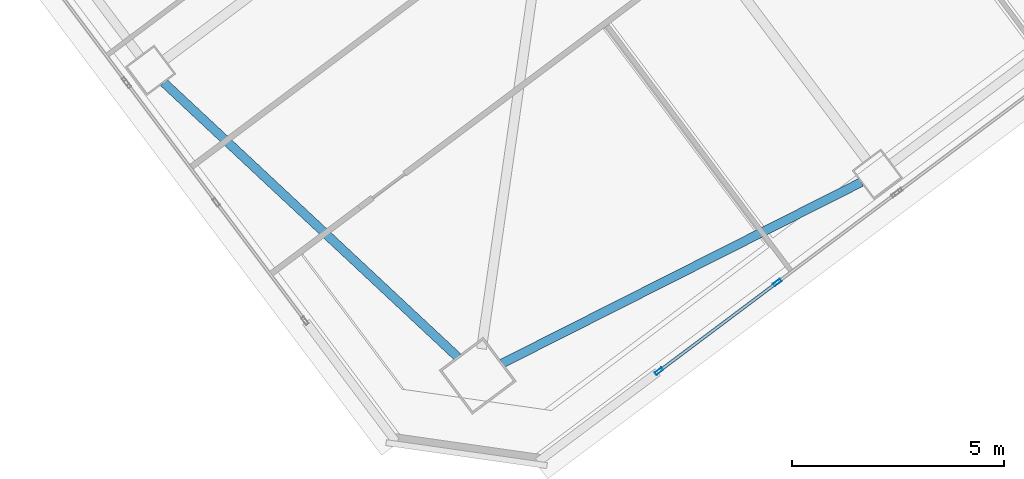
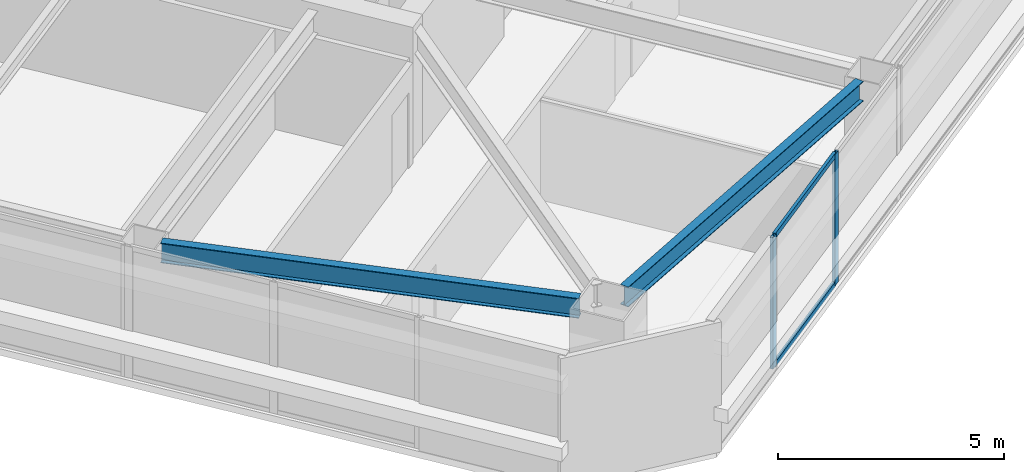
# One storey, part 18 of 44: 4 members, 2 beams, 1 element without a shape of its own.
"""IFC4 building model written with IfcOpenShell, lengths in metres."""

from ifc_helpers import new_model, si_unit, direction, frame, origin, origin_2d, place, context, subcontext, project, spatial, hollow_rectangle, i_section, extrude, material, material_profile, profile_set, type_object, element, aggregate, save


model = new_model("IFC4")

# Units and contexts
model_context = context("Model", 3, precision=1e-05, world=origin(), true_north=direction((0.0, 1.0)))
body_context = subcontext(model_context, "Body", "Model", "MODEL_VIEW")
ifc_project = project(units=[si_unit("LENGTHUNIT", "METRE"), si_unit("AREAUNIT", "SQUARE_METRE"), si_unit("VOLUMEUNIT", "CUBIC_METRE"), si_unit("PLANEANGLEUNIT", "RADIAN"), si_unit("MASSUNIT", "GRAM", prefix="KILO")], contexts=[model_context])

# Site, building, storey
site_placement = place(None, origin())
site = spatial("IfcSite", under=ifc_project, at=site_placement, CompositionType="ELEMENT")
building_placement = place(site_placement, origin())
building = spatial("IfcBuilding", under=site, at=building_placement, Name="Tashvorn Skyway Center", CompositionType="ELEMENT")
storey_placement = place(building_placement, frame((0.0, 0.0, 149.89990234375)))
storey = spatial("IfcBuildingStorey", under=building, at=storey_placement, Name="L40", CompositionType="ELEMENT", Elevation=149.89990234375)

# Beams
ifc_material_1 = material(Name="Steel ASTM A992 Grade 50", Category="steel")
ifc_material_profile_1 = material_profile(ifc_material_1, i_section(OverallWidth=0.2109375, OverallDepth=0.5390625, WebThickness=0.01171875, FlangeThickness=0.018798828125, at=origin_2d()), Name="W21X73")
ifc_profile_set_1 = profile_set([ifc_material_profile_1], Name="Steel ASTM A992 Grade 50")
beam_type = type_object("IfcBeamType", Name="BM-SPANDREL-W21X73", PredefinedType="SPANDREL", material=ifc_profile_set_1)
beam_1_placement = place(storey_placement, frame((111.415771484375, 10.170654296875, 3.1005859375), z_axis=(0.892719124217, 0.450613543136, 0.0), x_axis=(-0.450613543136, 0.892719124217, 0.0)))
element("IfcBeam", 1, at=beam_1_placement, inside=storey, type_object=beam_type, Name="Tower 2 L40 Spandrel Beam 01", PredefinedType="SPANDREL", context=body_context, shape_type="SweptSolid", body=[
    extrude(i_section(OverallWidth=0.2109375, OverallDepth=0.5390625, WebThickness=0.01171875, FlangeThickness=0.018798828125, at=origin_2d()), origin(), (0.0, 0.0, 1.0), 9.498291015625),
])
beam_2_placement = place(storey_placement, frame((103.427001953125, 16.80322265625, 3.1005859375), z_axis=(0.730843250868, -0.682545341102, 0.0), x_axis=(0.682545341102, 0.730843250868, 0.0)))
element("IfcBeam", 2, at=beam_2_placement, inside=storey, type_object=beam_type, Name="Tower 2 L40 Spandrel Beam 12", PredefinedType="SPANDREL", context=body_context, shape_type="SweptSolid", body=[
    extrude(i_section(OverallWidth=0.2109375, OverallDepth=0.5390625, WebThickness=0.01171875, FlangeThickness=0.018798828125, at=origin_2d()), origin(), (0.0, 0.0, 1.0), 9.498046875),
])

# Curtain wall, members
ifc_material_2 = material(Name="Thermally broken bronze-anodized aluminium 6063-T6", Category="aluminium")
curtain_wall_type = type_object("IfcCurtainWallType", Name="CW-CW-Z3", PredefinedType="NOTDEFINED", material=ifc_material_2)
curtain_wall_placement = place(storey_placement, origin())
curtain_wall = element("IfcCurtainWall", 3, at=curtain_wall_placement, inside=storey, type_object=curtain_wall_type, Name="Tower 2 L40 South Unitised Curtain Wall Glazing Group 3", PredefinedType="NOTDEFINED")
ifc_material_profile_2 = material_profile(ifc_material_2, hollow_rectangle(XDim=0.074951171875, YDim=0.199951171875, WallThickness=0.00439453125, at=origin_2d()), Name="ALU-MULL-75x200")
ifc_profile_set_2 = profile_set([ifc_material_profile_2], Name="Thermally broken bronze-anodized aluminium 6063-T6")
member_type_1 = type_object("IfcMemberType", Name="CWM-CW-Z3", PredefinedType="MULLION", material=ifc_profile_set_2)
member_1_placement = place(storey_placement, frame((117.91015625, 12.082763671875, 0.0), z_axis=(0.0, 0.0, 1.0), x_axis=(0.600004533995, -0.799996599484, 0.0)))
member_1 = element("IfcMember", 4, at=member_1_placement, type_object=member_type_1, Name="CW-Z3 mullion 2", PredefinedType="MULLION", context=body_context, shape_type="SweptSolid", body=[
    extrude(hollow_rectangle(XDim=0.074951171875, YDim=0.199951171875, WallThickness=0.00439453125, at=origin_2d()), origin(), (0.0, 0.0, 1.0), 3.550048828125),
])
member_2_placement = place(storey_placement, frame((115.1171875, 9.98779296875, 0.0), z_axis=(0.0, 0.0, 1.0), x_axis=(0.600004533995, -0.799996599484, 0.0)))
member_2 = element("IfcMember", 5, at=member_2_placement, type_object=member_type_1, Name="CW-Z3 mullion 3", PredefinedType="MULLION", context=body_context, shape_type="SweptSolid", body=[
    extrude(hollow_rectangle(XDim=0.074951171875, YDim=0.199951171875, WallThickness=0.00439453125, at=origin_2d()), origin(), (0.0, 0.0, 1.0), 3.550048828125),
])
ifc_material_profile_3 = material_profile(ifc_material_2, hollow_rectangle(XDim=0.074951171875, YDim=0.139892578125, WallThickness=0.004150390625, at=origin_2d()), Name="ALU-TRAN-75x140")
ifc_profile_set_3 = profile_set([ifc_material_profile_3], Name="Thermally broken bronze-anodized aluminium 6063-T6")
member_type_2 = type_object("IfcMemberType", Name="CWT-CW-Z3", PredefinedType="USERDEFINED", material=ifc_profile_set_3)
member_3_placement = place(storey_placement, frame((117.880126953125, 12.06005859375, 0.03759765625), z_axis=(-0.799982847995, -0.600022868659, 0.0), x_axis=(0.600022868659, -0.799982847995, 0.0)))
member_3 = element("IfcMember", 6, at=member_3_placement, type_object=member_type_2, Name="CW-Z3 transom 2.1", ObjectType="TRANSOM", PredefinedType="USERDEFINED", context=body_context, shape_type="SweptSolid", body=[
    extrude(hollow_rectangle(XDim=0.074951171875, YDim=0.139892578125, WallThickness=0.004150390625, at=origin_2d()), origin(), (0.0, 0.0, 1.0), 3.416259765625),
])
member_4_placement = place(storey_placement, frame((117.880126953125, 12.06005859375, 3.5126953125), z_axis=(-0.799982847995, -0.600022868659, 0.0), x_axis=(0.600022868659, -0.799982847995, 0.0)))
member_4 = element("IfcMember", 7, at=member_4_placement, type_object=member_type_2, Name="CW-Z3 transom 2.2", ObjectType="TRANSOM", PredefinedType="USERDEFINED", context=body_context, shape_type="SweptSolid", body=[
    extrude(hollow_rectangle(XDim=0.074951171875, YDim=0.139892578125, WallThickness=0.004150390625, at=origin_2d()), origin(), (0.0, 0.0, 1.0), 3.416259765625),
])
aggregate(curtain_wall, [member_1, member_2, member_3, member_4])

save(model, "model.ifc")
